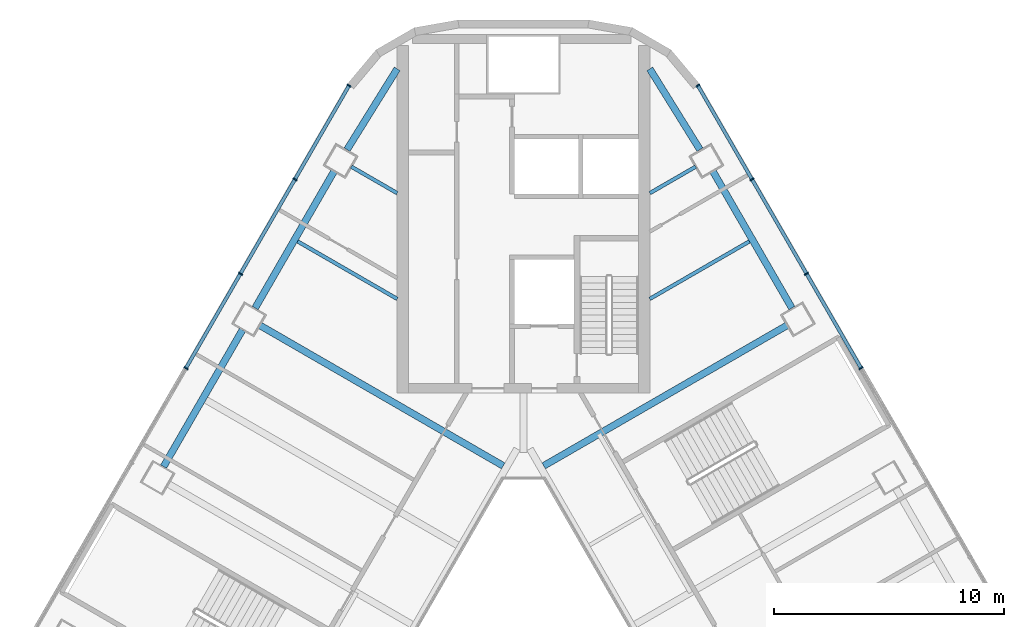
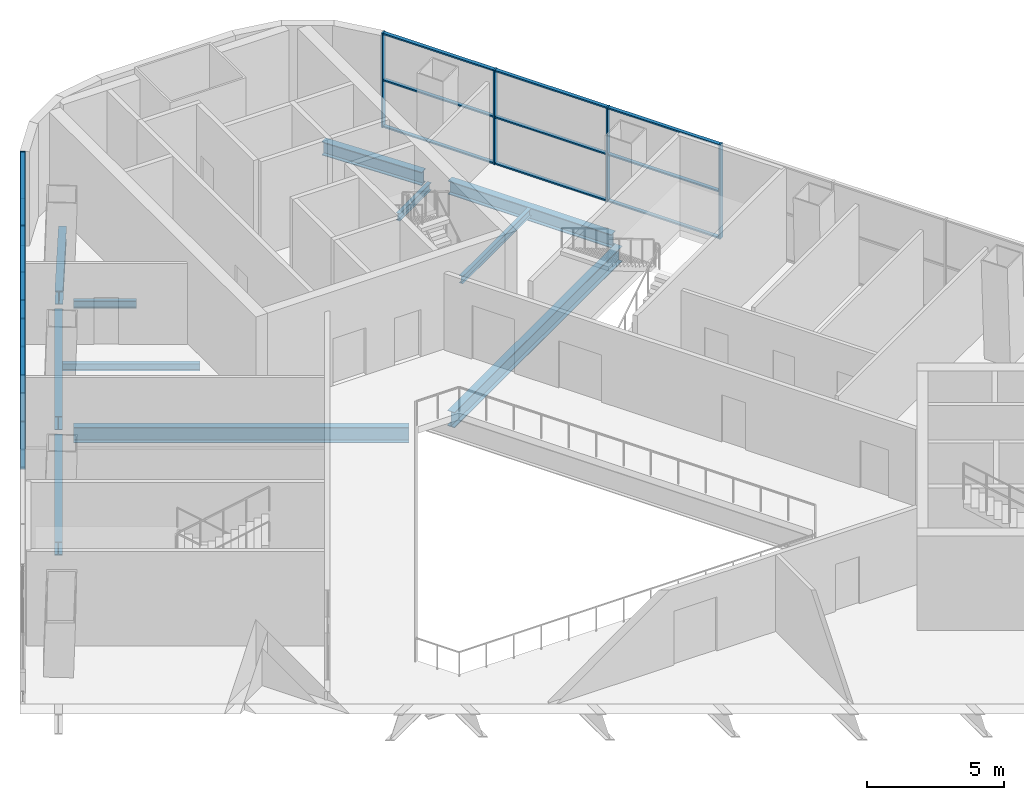
# One storey, part 5 of 12: 26 members, 11 beams, 2 elements without a shape of their own.
"""IFC4 building model written with IfcOpenShell, lengths in metres."""

import ifcopenshell
import ifcopenshell.guid

model = None  # the IFC model being written
_history = None  # IfcOwnerHistory: only IFC2X3 demands one
_inside = {}  # id of a spatial element -> (the spatial element, [elements in it])
_under = {}  # id of a project, library or spatial element -> (it, [spatial elements below it])
_declared = {}  # id of a project -> (the project, [libraries it declares])
_typed = {}  # id of a type object -> (the type object, [elements of that type])
_made_of = {}  # id of a material, layer set ... -> (it, [elements and type objects made of it])


def new_model(schema):
    """Start an empty IFC model of exactly this schema.

    Asked for "IFC4X3", IfcOpenShell would pick the latest addendum, in which some entities
    have other attributes; the version numbers below select the first issue.
    IFC2X3 requires an IfcOwnerHistory on every rooted entity: one is made here for all.
    """
    global model, _history
    if schema == "IFC4X3":
        model = ifcopenshell.file(schema_version=(4, 3, 0, 0))
    else:
        model = ifcopenshell.file(schema=schema)
    _inside.clear()
    _under.clear()
    _declared.clear()
    _typed.clear()
    _made_of.clear()
    _history = None
    if model.schema == "IFC2X3":
        org = make("IfcOrganization", Name="unknown")
        user = make(
            "IfcPersonAndOrganization",
            ThePerson=make("IfcPerson", FamilyName="unknown"),
            TheOrganization=org,
        )
        app = make(
            "IfcApplication",
            ApplicationDeveloper=org,
            Version="unknown",
            ApplicationFullName="unknown",
            ApplicationIdentifier="unknown",
        )
        _history = make(
            "IfcOwnerHistory",
            OwningUser=user,
            OwningApplication=app,
            ChangeAction="ADDED",
            CreationDate=0,
        )
    return model


def make(cls, **values):
    """One entity of the class cls with the attributes given. An attribute that is None is left unset."""
    return model.create_entity(
        cls, **{name: value for name, value in values.items() if value is not None}
    )


def rooted(cls, **values):
    """An entity with a GlobalId (a new one), such as an element, a storey or a relation."""
    return make(cls, GlobalId=ifcopenshell.guid.new(), OwnerHistory=_history, **values)


def si_unit(unit_type, name, prefix=None):
    """IfcSIUnit, for example si_unit("LENGTHUNIT", "METRE", prefix="MILLI")."""
    return make("IfcSIUnit", UnitType=unit_type, Prefix=prefix, Name=name)


def assignment(units):
    """IfcUnitAssignment: the units of a project."""
    return None if units is None else make("IfcUnitAssignment", Units=units)


def point(xyz):
    """IfcCartesianPoint."""
    return None if xyz is None else make("IfcCartesianPoint", Coordinates=xyz)


def direction(xyz):
    """IfcDirection."""
    return None if xyz is None else make("IfcDirection", DirectionRatios=xyz)


def frame(location, z_axis=None, x_axis=None):
    """IfcAxis2Placement3D, a coordinate frame: its origin and axes. An axis left out is left unset."""
    return make(
        "IfcAxis2Placement3D",
        Location=point(location),
        Axis=direction(z_axis),
        RefDirection=direction(x_axis),
    )


def frame_2d(location, x_axis=None):
    """IfcAxis2Placement2D, a coordinate frame in the plane: its origin and x axis."""
    return make(
        "IfcAxis2Placement2D", Location=point(location), RefDirection=direction(x_axis)
    )


def origin():
    """The frame at (0, 0, 0) with its axes left unset."""
    return frame((0.0, 0.0, 0.0))


def origin_2d():
    """The frame at (0, 0) in the plane with its x axis left unset."""
    return frame_2d((0.0, 0.0))


def place(relative_to, where):
    """IfcLocalPlacement: puts the frame where relative to a parent placement (None: the world)."""
    return make(
        "IfcLocalPlacement", PlacementRelTo=relative_to, RelativePlacement=where
    )


def context(
    kind, dimensions, precision=None, world=None, true_north=None, identifier=None
):
    """IfcGeometricRepresentationContext, for example the 3D "Model" context."""
    return make(
        "IfcGeometricRepresentationContext",
        ContextIdentifier=identifier,
        ContextType=kind,
        CoordinateSpaceDimension=dimensions,
        Precision=precision,
        WorldCoordinateSystem=world,
        TrueNorth=true_north,
    )


def subcontext(parent, identifier, kind, view, scale=None):
    """IfcGeometricRepresentationSubContext, for example "Body" below "Model"."""
    return make(
        "IfcGeometricRepresentationSubContext",
        ContextIdentifier=identifier,
        ContextType=kind,
        ParentContext=parent,
        TargetScale=scale,
        TargetView=view,
    )


def project(units=None, contexts=None):
    """IfcProject with its units and contexts."""
    return rooted(
        "IfcProject",
        Name="project",
        RepresentationContexts=contexts,
        UnitsInContext=assignment(units),
    )


def spatial(cls, under=None, at=None, **own):
    """A site, building, storey or space (cls), placed at a placement, below another one or the project."""
    s = rooted(cls, ObjectPlacement=at, **own)
    if under is not None:
        _under.setdefault(under.id(), (under, []))[1].append(s)
    return s


def profile(cls, at=None, kind="AREA", **sizes):
    """A parametric profile (cls). Its sizes go by their IFC names, for example OverallWidth=200.0."""
    return make(cls, ProfileType=kind, Position=at, **sizes)


def rectangle(**sizes):
    """IfcRectangleProfileDef."""
    return profile("IfcRectangleProfileDef", **sizes)


def i_section(**sizes):
    """IfcIShapeProfileDef."""
    return profile("IfcIShapeProfileDef", **sizes)


def extrude(swept, where, along, depth):
    """IfcExtrudedAreaSolid: the profile swept, set in the frame where, extruded along a direction by depth."""
    return make(
        "IfcExtrudedAreaSolid",
        SweptArea=swept,
        Position=where,
        ExtrudedDirection=direction(along),
        Depth=depth,
    )


def shape(context_of_items, identifier, shape_type, items):
    """IfcShapeRepresentation: the items that make up one representation, for example the "Body"."""
    return make(
        "IfcShapeRepresentation",
        ContextOfItems=context_of_items,
        RepresentationIdentifier=identifier,
        RepresentationType=shape_type,
        Items=items,
    )


def material(Name=None, Category=None):
    """IfcMaterial."""
    return make("IfcMaterial", Name=Name, Category=Category)


def layer(
    of_material, thickness, ventilated=None, Name=None, Category=None, Priority=None
):
    """IfcMaterialLayer: one layer of a wall or slab, of a material (None: an air gap)."""
    return make(
        "IfcMaterialLayer",
        Material=of_material,
        LayerThickness=thickness,
        IsVentilated=ventilated,
        Name=Name,
        Category=Category,
        Priority=Priority,
    )


def layer_set(layers, Name=None):
    """IfcMaterialLayerSet."""
    return make("IfcMaterialLayerSet", MaterialLayers=layers, LayerSetName=Name)


def material_profile(
    of_material, cross_section, Name=None, Category=None, Priority=None
):
    """IfcMaterialProfile: a cross section and its material."""
    return make(
        "IfcMaterialProfile",
        Name=Name,
        Material=of_material,
        Profile=cross_section,
        Priority=Priority,
        Category=Category,
    )


def profile_set(profiles, Name=None, composite=None):
    """IfcMaterialProfileSet."""
    return make(
        "IfcMaterialProfileSet",
        Name=Name,
        MaterialProfiles=profiles,
        CompositeProfile=composite,
    )


def made_of(thing, what):
    """Note that an element or type object is made of a material, layer set ...; save() writes the relation."""
    if what is not None:
        _made_of.setdefault(what.id(), (what, []))[1].append(thing)
    return thing


def type_object(cls, material=None, **own):
    """A type object (cls), such as IfcWallType, which elements share."""
    return made_of(rooted(cls, **own), material)


def element(
    cls,
    number,
    at=None,
    inside=None,
    cuts=None,
    type_object=None,
    material=None,
    context=None,
    identifier="Body",
    shape_type=None,
    held_by="IfcProductDefinitionShape",
    body=None,
    shapes=None,
    **own,
):
    """One element of the class cls, such as IfcWall. Its Tag is "e" and its number.

    at: its placement. inside: the storey or other place that contains it. cuts: it is an
    opening in that element (IfcRelVoidsElement). A single representation is given by context,
    identifier, shape_type and body (its items); several are given by shapes. held_by: the class
    of the entity that holds the representations. save() writes the other relations.
    """
    e = rooted(cls, Tag="e%d" % number, ObjectPlacement=at, **own)
    if body is not None:
        shapes = [shape(context, identifier, shape_type, body)]
    if shapes is not None:
        e.Representation = make(held_by, Representations=shapes)
    if inside is not None:
        _inside.setdefault(inside.id(), (inside, []))[1].append(e)
    if cuts is not None:
        rooted(
            "IfcRelVoidsElement", RelatingBuildingElement=cuts, RelatedOpeningElement=e
        )
    if type_object is not None:
        _typed.setdefault(type_object.id(), (type_object, []))[1].append(e)
    return made_of(e, material)


def aggregate(whole, parts):
    """IfcRelAggregates: a whole, such as a stair, and the parts it consists of."""
    return rooted("IfcRelAggregates", RelatingObject=whole, RelatedObjects=parts)


def save(model, path):
    """Write the relations noted so far, then the file.

    IfcRelAggregates (storeys below a building ...), IfcRelContainedInSpatialStructure (elements
    in a storey), IfcRelDefinesByType, IfcRelAssociatesMaterial and IfcRelDeclares: one each for
    every whole, place, type object, material and project.
    """
    for whole, parts in _under.values():
        aggregate(whole, parts)
    for where, things in _inside.values():
        rooted(
            "IfcRelContainedInSpatialStructure",
            RelatedElements=things,
            RelatingStructure=where,
        )
    for kind, things in _typed.values():
        rooted("IfcRelDefinesByType", RelatedObjects=things, RelatingType=kind)
    for what, things in _made_of.values():
        rooted("IfcRelAssociatesMaterial", RelatedObjects=things, RelatingMaterial=what)
    for by, libraries in _declared.values():
        rooted("IfcRelDeclares", RelatingContext=by, RelatedDefinitions=libraries)
    model.write(path)


model = new_model("IFC4")

# Units and contexts
model_context = context("Model", 3, precision=1e-05, world=origin(), true_north=direction((0.0, 1.0)))
body_context = subcontext(model_context, "Body", "Model", "MODEL_VIEW")
ifc_project = project(units=[si_unit("LENGTHUNIT", "METRE"), si_unit("AREAUNIT", "SQUARE_METRE"), si_unit("VOLUMEUNIT", "CUBIC_METRE"), si_unit("PLANEANGLEUNIT", "RADIAN"), si_unit("MASSUNIT", "GRAM", prefix="KILO")], contexts=[model_context])

# Site, building, storey
site_placement = place(None, origin())
site = spatial("IfcSite", under=ifc_project, at=site_placement, CompositionType="ELEMENT")
building_placement = place(site_placement, origin())
building = spatial("IfcBuilding", under=site, at=building_placement, Name="Apuvela Tower Hotel", CompositionType="ELEMENT")
storey_placement = place(building_placement, frame((0.0, 0.0, 28.5)))
storey = spatial("IfcBuildingStorey", under=building, at=storey_placement, Name="L04", CompositionType="ELEMENT", Elevation=28.5)

# Curtain wall, members
ifc_material_1 = material(Name="Aluminium 6063-T6, dark bronze anodised", Category="aluminium")
ifc_layer = layer(ifc_material_1, 0.199951171875)
ifc_layer_set = layer_set([ifc_layer], Name="ENV-CW-P")
curtain_wall_type = type_object("IfcCurtainWallType", Name="ENV-CW-P", PredefinedType="NOTDEFINED", material=ifc_layer_set)
curtain_wall_1_placement = place(storey_placement, origin())
curtain_wall_1 = element("IfcCurtainWall", 1, at=curtain_wall_1_placement, inside=storey, type_object=curtain_wall_type, Name="Curtain wall CW-P NE L04", PredefinedType="NOTDEFINED")
ifc_material_profile_1 = material_profile(ifc_material_1, rectangle(XDim=0.199951171875, YDim=0.06494140625, at=origin_2d()), Name="AL 65x200")
ifc_profile_set_1 = profile_set([ifc_material_profile_1], Name="Aluminium 6063-T6, dark bronze anodised")
member_type_1 = type_object("IfcMemberType", Name="ENV-MULLION-65x200", PredefinedType="MULLION", material=ifc_profile_set_1)
member_1_placement = place(storey_placement, frame((14.698974609375, 13.96923828125, 0.0), z_axis=(0.0, 0.0, 1.0), x_axis=(-0.866024428615, -0.500001689039, 0.0)))
member_1 = element("IfcMember", 2, at=member_1_placement, type_object=member_type_1, Name="CW-P mullion 6", PredefinedType="MULLION", context=body_context, shape_type="SweptSolid", body=[
    extrude(rectangle(XDim=0.199951171875, YDim=0.06494140625, at=origin_2d()), origin(), (0.0, 0.0, 1.0), 4.199951171875),
])
member_2_placement = place(storey_placement, frame((12.324951171875, 18.081298828125, 0.0), z_axis=(0.0, 0.0, 1.0), x_axis=(-0.866024428615, -0.500001689039, 0.0)))
member_2 = element("IfcMember", 3, at=member_2_placement, type_object=member_type_1, Name="CW-P mullion 7", PredefinedType="MULLION", context=body_context, shape_type="SweptSolid", body=[
    extrude(rectangle(XDim=0.199951171875, YDim=0.06494140625, at=origin_2d()), origin(), (0.0, 0.0, 1.0), 4.199951171875),
])
member_3_placement = place(storey_placement, frame((9.950927734375, 22.193115234375, 0.0), z_axis=(0.0, 0.0, 1.0), x_axis=(-0.866024428615, -0.500001689039, 0.0)))
member_3 = element("IfcMember", 4, at=member_3_placement, type_object=member_type_1, Name="CW-P mullion 8", PredefinedType="MULLION", context=body_context, shape_type="SweptSolid", body=[
    extrude(rectangle(XDim=0.199951171875, YDim=0.06494140625, at=origin_2d()), origin(), (0.0, 0.0, 1.0), 4.199951171875),
])
member_4_placement = place(storey_placement, frame((7.593017578125, 26.277099609375, 0.0), z_axis=(0.0, 0.0, 1.0), x_axis=(-0.866024428615, -0.500001689039, 0.0)))
member_4 = element("IfcMember", 5, at=member_4_placement, type_object=member_type_1, Name="CW-P mullion 9", PredefinedType="MULLION", context=body_context, shape_type="SweptSolid", body=[
    extrude(rectangle(XDim=0.199951171875, YDim=0.06494140625, at=origin_2d()), origin(), (0.0, 0.0, 1.0), 4.199951171875),
])

curtain_wall_2_placement = place(storey_placement, origin())
curtain_wall_2 = element("IfcCurtainWall", 6, at=curtain_wall_2_placement, inside=storey, type_object=curtain_wall_type, Name="Curtain wall CW-P NW L04", PredefinedType="NOTDEFINED")
member_5_placement = place(storey_placement, frame((-7.593017578125, 26.277099609375, 0.0), z_axis=(0.0, 0.0, 1.0), x_axis=(0.866024428615, -0.500001689039, 0.0)))
member_5 = element("IfcMember", 7, at=member_5_placement, type_object=member_type_1, Name="CW-P mullion 1", PredefinedType="MULLION", context=body_context, shape_type="SweptSolid", body=[
    extrude(rectangle(XDim=0.199951171875, YDim=0.06494140625, at=origin_2d()), origin(), (0.0, 0.0, 1.0), 4.199951171875),
])
member_6_placement = place(storey_placement, frame((-9.950927734375, 22.193115234375, 0.0), z_axis=(0.0, 0.0, 1.0), x_axis=(0.866024428615, -0.500001689039, 0.0)))
member_6 = element("IfcMember", 8, at=member_6_placement, type_object=member_type_1, Name="CW-P mullion 2", PredefinedType="MULLION", context=body_context, shape_type="SweptSolid", body=[
    extrude(rectangle(XDim=0.199951171875, YDim=0.06494140625, at=origin_2d()), origin(), (0.0, 0.0, 1.0), 4.199951171875),
])
member_7_placement = place(storey_placement, frame((-12.324951171875, 18.081298828125, 0.0), z_axis=(0.0, 0.0, 1.0), x_axis=(0.866024428615, -0.500001689039, 0.0)))
member_7 = element("IfcMember", 9, at=member_7_placement, type_object=member_type_1, Name="CW-P mullion 3", PredefinedType="MULLION", context=body_context, shape_type="SweptSolid", body=[
    extrude(rectangle(XDim=0.199951171875, YDim=0.06494140625, at=origin_2d()), origin(), (0.0, 0.0, 1.0), 4.199951171875),
])
member_8_placement = place(storey_placement, frame((-14.698974609375, 13.96923828125, 0.0), z_axis=(0.0, 0.0, 1.0), x_axis=(0.866024428615, -0.500001689039, 0.0)))
member_8 = element("IfcMember", 10, at=member_8_placement, type_object=member_type_1, Name="CW-P mullion 4", PredefinedType="MULLION", context=body_context, shape_type="SweptSolid", body=[
    extrude(rectangle(XDim=0.199951171875, YDim=0.06494140625, at=origin_2d()), origin(), (0.0, 0.0, 1.0), 4.199951171875),
])

# Member
ifc_material_profile_2 = material_profile(ifc_material_1, rectangle(XDim=0.14990234375, YDim=0.06494140625, at=origin_2d()), Name="AL 65x150 transom")
ifc_profile_set_2 = profile_set([ifc_material_profile_2], Name="Aluminium 6063-T6, dark bronze anodised")
member_type_2 = type_object("IfcMemberType", Name="ENV-TRANSOM-65x150", PredefinedType="USERDEFINED", material=ifc_profile_set_2)
member_9_placement = place(storey_placement, frame((14.682861328125, 13.997314453125, 0.032470703125), z_axis=(-0.500002241493, 0.866024109654, 0.0), x_axis=(-0.866024109654, -0.500002241493, 0.0)))
member_9 = element("IfcMember", 11, at=member_9_placement, type_object=member_type_2, Name="CW-P transom 6.1", ObjectType="TRANSOM", PredefinedType="USERDEFINED", context=body_context, shape_type="SweptSolid", body=[
    extrude(rectangle(XDim=0.14990234375, YDim=0.06494140625, at=origin_2d()), origin(), (0.0, 0.0, 1.0), 4.68310546875),
])

member_10_placement = place(storey_placement, frame((14.682861328125, 13.997314453125, 2.10009765625), z_axis=(-0.500002241493, 0.866024109654, 0.0), x_axis=(-0.866024109654, -0.500002241493, 0.0)))
member_10 = element("IfcMember", 12, at=member_10_placement, type_object=member_type_2, Name="CW-P transom 6.2", ObjectType="TRANSOM", PredefinedType="USERDEFINED", context=body_context, shape_type="SweptSolid", body=[
    extrude(rectangle(XDim=0.14990234375, YDim=0.06494140625, at=origin_2d()), origin(), (0.0, 0.0, 1.0), 4.68310546875),
])

member_11_placement = place(storey_placement, frame((14.682861328125, 13.997314453125, 4.16748046875), z_axis=(-0.500002241493, 0.866024109654, 0.0), x_axis=(-0.866024109654, -0.500002241493, 0.0)))
member_11 = element("IfcMember", 13, at=member_11_placement, type_object=member_type_2, Name="CW-P transom 6.3", ObjectType="TRANSOM", PredefinedType="USERDEFINED", context=body_context, shape_type="SweptSolid", body=[
    extrude(rectangle(XDim=0.14990234375, YDim=0.06494140625, at=origin_2d()), origin(), (0.0, 0.0, 1.0), 4.68310546875),
])

member_12_placement = place(storey_placement, frame((12.30859375, 18.109375, 0.032470703125), z_axis=(-0.500002241493, 0.866024109654, 0.0), x_axis=(-0.866024109654, -0.500002241493, 0.0)))
member_12 = element("IfcMember", 14, at=member_12_placement, type_object=member_type_2, Name="CW-P transom 7.1", ObjectType="TRANSOM", PredefinedType="USERDEFINED", context=body_context, shape_type="SweptSolid", body=[
    extrude(rectangle(XDim=0.14990234375, YDim=0.06494140625, at=origin_2d()), origin(), (0.0, 0.0, 1.0), 4.68310546875),
])

member_13_placement = place(storey_placement, frame((12.30859375, 18.109375, 2.10009765625), z_axis=(-0.500002241493, 0.866024109654, 0.0), x_axis=(-0.866024109654, -0.500002241493, 0.0)))
member_13 = element("IfcMember", 15, at=member_13_placement, type_object=member_type_2, Name="CW-P transom 7.2", ObjectType="TRANSOM", PredefinedType="USERDEFINED", context=body_context, shape_type="SweptSolid", body=[
    extrude(rectangle(XDim=0.14990234375, YDim=0.06494140625, at=origin_2d()), origin(), (0.0, 0.0, 1.0), 4.68310546875),
])

member_14_placement = place(storey_placement, frame((12.30859375, 18.109375, 4.16748046875), z_axis=(-0.500002241493, 0.866024109654, 0.0), x_axis=(-0.866024109654, -0.500002241493, 0.0)))
member_14 = element("IfcMember", 16, at=member_14_placement, type_object=member_type_2, Name="CW-P transom 7.3", ObjectType="TRANSOM", PredefinedType="USERDEFINED", context=body_context, shape_type="SweptSolid", body=[
    extrude(rectangle(XDim=0.14990234375, YDim=0.06494140625, at=origin_2d()), origin(), (0.0, 0.0, 1.0), 4.68310546875),
])

member_15_placement = place(storey_placement, frame((9.9345703125, 22.221435546875, 0.032470703125), z_axis=(-0.499978447692, 0.866037846658, 0.0), x_axis=(-0.866037846658, -0.499978447692, 0.0)))
member_15 = element("IfcMember", 17, at=member_15_placement, type_object=member_type_2, Name="CW-P transom 8.1", ObjectType="TRANSOM", PredefinedType="USERDEFINED", context=body_context, shape_type="SweptSolid", body=[
    extrude(rectangle(XDim=0.14990234375, YDim=0.06494140625, at=origin_2d()), origin(), (0.0, 0.0, 1.0), 4.650634765625),
])

member_16_placement = place(storey_placement, frame((9.9345703125, 22.221435546875, 2.10009765625), z_axis=(-0.499978447692, 0.866037846658, 0.0), x_axis=(-0.866037846658, -0.499978447692, 0.0)))
member_16 = element("IfcMember", 18, at=member_16_placement, type_object=member_type_2, Name="CW-P transom 8.2", ObjectType="TRANSOM", PredefinedType="USERDEFINED", context=body_context, shape_type="SweptSolid", body=[
    extrude(rectangle(XDim=0.14990234375, YDim=0.06494140625, at=origin_2d()), origin(), (0.0, 0.0, 1.0), 4.650634765625),
])

member_17_placement = place(storey_placement, frame((9.9345703125, 22.221435546875, 4.16748046875), z_axis=(-0.499978447692, 0.866037846658, 0.0), x_axis=(-0.866037846658, -0.499978447692, 0.0)))
member_17 = element("IfcMember", 19, at=member_17_placement, type_object=member_type_2, Name="CW-P transom 8.3", ObjectType="TRANSOM", PredefinedType="USERDEFINED", context=body_context, shape_type="SweptSolid", body=[
    extrude(rectangle(XDim=0.14990234375, YDim=0.06494140625, at=origin_2d()), origin(), (0.0, 0.0, 1.0), 4.650634765625),
])

aggregate(curtain_wall_1, [member_1, member_2, member_3, member_4, member_9, member_10, member_11, member_12, member_13, member_14, member_15, member_16, member_17])

member_18_placement = place(storey_placement, frame((-7.609375, 26.2490234375, 0.032470703125), z_axis=(-0.499978447692, -0.866037846658, 0.0), x_axis=(0.866037846658, -0.499978447692, 0.0)))
member_18 = element("IfcMember", 20, at=member_18_placement, type_object=member_type_2, Name="CW-P transom 1.1", ObjectType="TRANSOM", PredefinedType="USERDEFINED", context=body_context, shape_type="SweptSolid", body=[
    extrude(rectangle(XDim=0.14990234375, YDim=0.06494140625, at=origin_2d()), origin(), (0.0, 0.0, 1.0), 4.650634765625),
])

member_19_placement = place(storey_placement, frame((-7.609375, 26.2490234375, 2.10009765625), z_axis=(-0.499978447692, -0.866037846658, 0.0), x_axis=(0.866037846658, -0.499978447692, 0.0)))
member_19 = element("IfcMember", 21, at=member_19_placement, type_object=member_type_2, Name="CW-P transom 1.2", ObjectType="TRANSOM", PredefinedType="USERDEFINED", context=body_context, shape_type="SweptSolid", body=[
    extrude(rectangle(XDim=0.14990234375, YDim=0.06494140625, at=origin_2d()), origin(), (0.0, 0.0, 1.0), 4.650634765625),
])

member_20_placement = place(storey_placement, frame((-7.609375, 26.2490234375, 4.16748046875), z_axis=(-0.499978447692, -0.866037846658, 0.0), x_axis=(0.866037846658, -0.499978447692, 0.0)))
member_20 = element("IfcMember", 22, at=member_20_placement, type_object=member_type_2, Name="CW-P transom 1.3", ObjectType="TRANSOM", PredefinedType="USERDEFINED", context=body_context, shape_type="SweptSolid", body=[
    extrude(rectangle(XDim=0.14990234375, YDim=0.06494140625, at=origin_2d()), origin(), (0.0, 0.0, 1.0), 4.650634765625),
])

member_21_placement = place(storey_placement, frame((-9.967041015625, 22.1650390625, 0.032470703125), z_axis=(-0.500002241493, -0.866024109654, 0.0), x_axis=(0.866024109654, -0.500002241493, 0.0)))
member_21 = element("IfcMember", 23, at=member_21_placement, type_object=member_type_2, Name="CW-P transom 2.1", ObjectType="TRANSOM", PredefinedType="USERDEFINED", context=body_context, shape_type="SweptSolid", body=[
    extrude(rectangle(XDim=0.14990234375, YDim=0.06494140625, at=origin_2d()), origin(), (0.0, 0.0, 1.0), 4.68310546875),
])

member_22_placement = place(storey_placement, frame((-9.967041015625, 22.1650390625, 2.10009765625), z_axis=(-0.500002241493, -0.866024109654, 0.0), x_axis=(0.866024109654, -0.500002241493, 0.0)))
member_22 = element("IfcMember", 24, at=member_22_placement, type_object=member_type_2, Name="CW-P transom 2.2", ObjectType="TRANSOM", PredefinedType="USERDEFINED", context=body_context, shape_type="SweptSolid", body=[
    extrude(rectangle(XDim=0.14990234375, YDim=0.06494140625, at=origin_2d()), origin(), (0.0, 0.0, 1.0), 4.68310546875),
])

member_23_placement = place(storey_placement, frame((-9.967041015625, 22.1650390625, 4.16748046875), z_axis=(-0.500002241493, -0.866024109654, 0.0), x_axis=(0.866024109654, -0.500002241493, 0.0)))
member_23 = element("IfcMember", 25, at=member_23_placement, type_object=member_type_2, Name="CW-P transom 2.3", ObjectType="TRANSOM", PredefinedType="USERDEFINED", context=body_context, shape_type="SweptSolid", body=[
    extrude(rectangle(XDim=0.14990234375, YDim=0.06494140625, at=origin_2d()), origin(), (0.0, 0.0, 1.0), 4.68310546875),
])

member_24_placement = place(storey_placement, frame((-12.34130859375, 18.052978515625, 0.032470703125), z_axis=(-0.500002241493, -0.866024109654, 0.0), x_axis=(0.866024109654, -0.500002241493, 0.0)))
member_24 = element("IfcMember", 26, at=member_24_placement, type_object=member_type_2, Name="CW-P transom 3.1", ObjectType="TRANSOM", PredefinedType="USERDEFINED", context=body_context, shape_type="SweptSolid", body=[
    extrude(rectangle(XDim=0.14990234375, YDim=0.06494140625, at=origin_2d()), origin(), (0.0, 0.0, 1.0), 4.68310546875),
])

member_25_placement = place(storey_placement, frame((-12.34130859375, 18.052978515625, 2.10009765625), z_axis=(-0.500002241493, -0.866024109654, 0.0), x_axis=(0.866024109654, -0.500002241493, 0.0)))
member_25 = element("IfcMember", 27, at=member_25_placement, type_object=member_type_2, Name="CW-P transom 3.2", ObjectType="TRANSOM", PredefinedType="USERDEFINED", context=body_context, shape_type="SweptSolid", body=[
    extrude(rectangle(XDim=0.14990234375, YDim=0.06494140625, at=origin_2d()), origin(), (0.0, 0.0, 1.0), 4.68310546875),
])

member_26_placement = place(storey_placement, frame((-12.34130859375, 18.052978515625, 4.16748046875), z_axis=(-0.500002241493, -0.866024109654, 0.0), x_axis=(0.866024109654, -0.500002241493, 0.0)))
member_26 = element("IfcMember", 28, at=member_26_placement, type_object=member_type_2, Name="CW-P transom 3.3", ObjectType="TRANSOM", PredefinedType="USERDEFINED", context=body_context, shape_type="SweptSolid", body=[
    extrude(rectangle(XDim=0.14990234375, YDim=0.06494140625, at=origin_2d()), origin(), (0.0, 0.0, 1.0), 4.68310546875),
])

aggregate(curtain_wall_2, [member_5, member_6, member_7, member_8, member_18, member_19, member_20, member_21, member_22, member_23, member_24, member_25, member_26])

# Beams
ifc_material_2 = material(Name="Steel S355", Category="steel")
ifc_material_profile_3 = material_profile(ifc_material_2, i_section(OverallWidth=0.300048828125, OverallDepth=0.68994140625, WebThickness=0.014404296875, FlangeThickness=0.027099609375, at=origin_2d()), Name="HE 700 A")
ifc_profile_set_3 = profile_set([ifc_material_profile_3], Name="Steel S355")
beam_type_1 = type_object("IfcBeamType", Name="STR-B floor beam HE 700 A", PredefinedType="BEAM", material=ifc_profile_set_3)
for number, where, z_axis, x_axis, name in (
    (29, (11.48388671875, 15.837890625, -0.64501953125), (-0.866030499736, -0.499991173449, 0.0), (0.499991173449, -0.866030499736, 0.0), "Floor beam B6 NE7"),
    (30, (-11.48388671875, 15.837890625, -0.64501953125), (0.866030499736, -0.499991173449, 0.0), (0.499991173449, 0.866030499736, 0.0), "Floor beam B6 NW3"),
):
    element("IfcBeam", number, at=place(storey_placement, frame(where, z_axis=z_axis, x_axis=x_axis)), inside=storey, type_object=beam_type_1, Name=name, PredefinedType="BEAM", context=body_context, shape_type="SweptSolid", body=[
        extrude(i_section(OverallWidth=0.300048828125, OverallDepth=0.68994140625, WebThickness=0.014404296875, FlangeThickness=0.027099609375, at=origin_2d()), origin(), (0.0, 0.0, 1.0), 12.242431640625),
    ])
ifc_material_profile_4 = material_profile(ifc_material_2, i_section(OverallWidth=0.159912109375, OverallDepth=0.330078125, WebThickness=0.007568359375, FlangeThickness=0.011474609375, at=origin_2d()), Name="IPE 330")
ifc_profile_set_4 = profile_set([ifc_material_profile_4], Name="Steel S355")
beam_type_2 = type_object("IfcBeamType", Name="STR-B floor beam IPE 330", PredefinedType="BEAM", material=ifc_profile_set_4)
beam_1_placement = place(storey_placement, frame((9.836669921875, 19.490966796875, -0.465087890625), z_axis=(-0.866014274504, -0.500019275984, 0.0), x_axis=(0.500019275984, -0.866014274504, 0.0)))
element("IfcBeam", 31, at=beam_1_placement, inside=storey, type_object=beam_type_2, Name="Floor beam B1 NE8", PredefinedType="BEAM", context=body_context, shape_type="SweptSolid", body=[
    extrude(i_section(OverallWidth=0.159912109375, OverallDepth=0.330078125, WebThickness=0.007568359375, FlangeThickness=0.011474609375, at=origin_2d()), origin(), (0.0, 0.0, 1.0), 5.007568359375),
])
for number, where, z_axis, x_axis, name in (
    (32, (7.496826171875, 22.743896484375, -0.465087890625), (-0.866032182629, -0.499988258513, 0.0), (0.499988258513, -0.866032182629, 0.0), "Floor beam B1 NE9"),
    (33, (-7.496826171875, 22.743896484375, -0.465087890625), (0.866032182629, -0.499988258513, 0.0), (0.499988258513, 0.866032182629, 0.0), "Floor beam B1 NW1"),
):
    element("IfcBeam", number, at=place(storey_placement, frame(where, z_axis=z_axis, x_axis=x_axis)), inside=storey, type_object=beam_type_2, Name=name, PredefinedType="BEAM", context=body_context, shape_type="SweptSolid", body=[
        extrude(i_section(OverallWidth=0.159912109375, OverallDepth=0.330078125, WebThickness=0.007568359375, FlangeThickness=0.011474609375, at=origin_2d()), origin(), (0.0, 0.0, 1.0), 2.3056640625),
    ])
beam_2_placement = place(storey_placement, frame((-9.836669921875, 19.490966796875, -0.465087890625), z_axis=(0.866014274504, -0.500019275984, 0.0), x_axis=(0.500019275984, 0.866014274504, 0.0)))
element("IfcBeam", 34, at=beam_2_placement, inside=storey, type_object=beam_type_2, Name="Floor beam B1 NW2", PredefinedType="BEAM", context=body_context, shape_type="SweptSolid", body=[
    extrude(i_section(OverallWidth=0.159912109375, OverallDepth=0.330078125, WebThickness=0.007568359375, FlangeThickness=0.011474609375, at=origin_2d()), origin(), (0.0, 0.0, 1.0), 5.007568359375),
])
ifc_material_profile_5 = material_profile(ifc_material_2, i_section(OverallWidth=0.300048828125, OverallDepth=0.60009765625, WebThickness=0.015380859375, FlangeThickness=0.030029296875, at=origin_2d()), Name="HE 600 B")
ifc_profile_set_5 = profile_set([ifc_material_profile_5], Name="Steel S355")
beam_type_3 = type_object("IfcBeamType", Name="STR-SB spandrel beam HE 600 B", PredefinedType="SPANDREL", material=ifc_profile_set_5)
for number, where, z_axis, x_axis, name in (
    (35, (11.685302734375, 16.58935546875, -0.60009765625), (-0.500023734054, 0.866011700488, 0.0), (-0.866011700488, -0.500023734054, 0.0), "Spandrel beam SB1 NE4"),
    (36, (-8.248046875, 22.54248046875, -0.60009765625), (-0.500023734054, -0.866011700488, 0.0), (0.866011700488, -0.500023734054, 0.0), "Spandrel beam SB1 NW1"),
    (37, (-12.235107421875, 15.63671875, -0.60009765625), (-0.500023734054, -0.866011700488, 0.0), (0.866011700488, -0.500023734054, 0.0), "Spandrel beam SB1 NW2"),
):
    element("IfcBeam", number, at=place(storey_placement, frame(where, z_axis=z_axis, x_axis=x_axis)), inside=storey, type_object=beam_type_3, Name=name, PredefinedType="SPANDREL", context=body_context, shape_type="SweptSolid", body=[
        extrude(i_section(OverallWidth=0.300048828125, OverallDepth=0.60009765625, WebThickness=0.015380859375, FlangeThickness=0.030029296875, at=origin_2d()), origin(), (0.0, 0.0, 1.0), 6.874267578125),
    ])
for number, where, z_axis, x_axis, name in (
    (38, (7.6826171875, 23.486328125, -0.60009765625), (-0.527662552603, 0.849454077971, 0.0), (-0.849454077971, -0.527662552603, 0.0), "Spandrel beam SB1 NE5-N"),
    (39, (-7.6826171875, 23.486328125, -0.60009765625), (0.527662552603, 0.849454077971, 0.0), (-0.849454077971, 0.527662552603, 0.0), "Spandrel beam SB1 NW1-N"),
):
    element("IfcBeam", number, at=place(storey_placement, frame(where, z_axis=z_axis, x_axis=x_axis)), inside=storey, type_object=beam_type_3, Name=name, PredefinedType="SPANDREL", context=body_context, shape_type="SweptSolid", body=[
        extrude(i_section(OverallWidth=0.300048828125, OverallDepth=0.60009765625, WebThickness=0.015380859375, FlangeThickness=0.030029296875, at=origin_2d()), origin(), (0.0, 0.0, 1.0), 4.136474609375),
    ])

save(model, "model.ifc")
